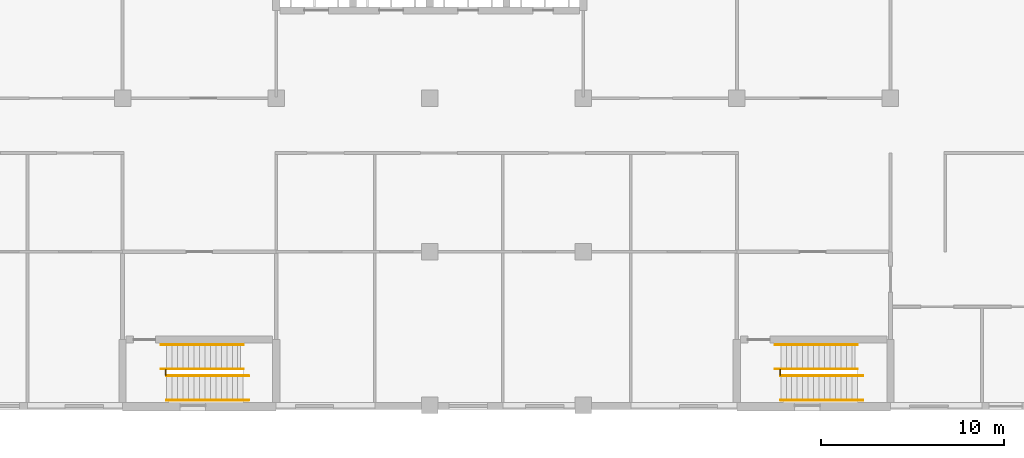
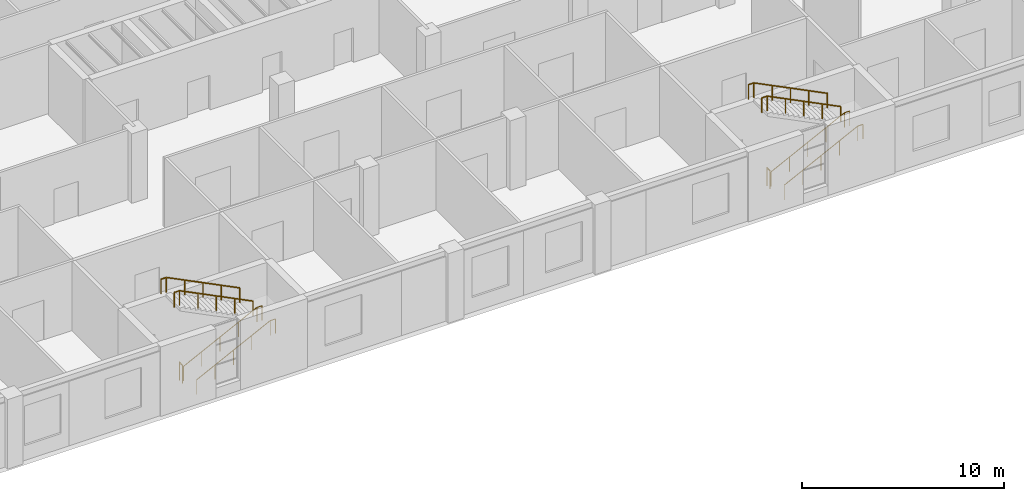
# One storey, part 60 of 66: 10 railings.
"""IFC4 building model written with IfcOpenShell, lengths in metres."""

from ifc_helpers import new_model, si_unit, direction, frame, origin, origin_2d, place, context, subcontext, project, spatial, circle, extrude, material, type_object, element, save


model = new_model("IFC4")

# Units and contexts
model_context = context("Model", 3, precision=1e-05, world=origin(), true_north=direction((0.0, 1.0)))
body_context = subcontext(model_context, "Body", "Model", "MODEL_VIEW")
ifc_project = project(units=[si_unit("LENGTHUNIT", "METRE"), si_unit("AREAUNIT", "SQUARE_METRE"), si_unit("VOLUMEUNIT", "CUBIC_METRE"), si_unit("PLANEANGLEUNIT", "RADIAN"), si_unit("MASSUNIT", "GRAM", prefix="KILO")], contexts=[model_context])

# Site, building, storey
site_placement = place(None, origin())
site = spatial("IfcSite", under=ifc_project, at=site_placement, CompositionType="ELEMENT")
building_placement = place(site_placement, origin())
building = spatial("IfcBuilding", under=site, at=building_placement, Name="Yavir Park General Hospital", CompositionType="ELEMENT")
storey_placement = place(building_placement, frame((0.0, 0.0, 8.39990234375)))
storey = spatial("IfcBuildingStorey", under=building, at=storey_placement, Name="L02", CompositionType="ELEMENT", Elevation=8.39990234375)

# Railings
ifc_material_1 = material(Name="Steel balustrade with infill rods", Category="steel")
railing_type_1 = type_object("IfcRailingType", Name="Stair guard, steel balustrade 1100 mm", PredefinedType="GUARDRAIL", material=ifc_material_1)
for number, where, name in (
    (1, (69.570068359375, 1.64990234375, 0.0), "Stair well guard SU3 L02"),
    (2, (103.169921875, 1.64990234375, 0.0), "Stair well guard SU4 L02"),
):
    element("IfcRailing", number, at=place(storey_placement, frame(where)), inside=storey, type_object=railing_type_1, Name=name, PredefinedType="GUARDRAIL", context=body_context, shape_type="SweptSolid", body=[
        extrude(circle(Radius=0.02392578125, at=origin_2d()), frame((0.0, 0.0, 1.076171875), z_axis=(0.0, 1.0, 0.0), x_axis=(-1.0, 0.0, 0.0)), (0.0, 0.0, 1.0), 0.300048828125),
        extrude(circle(Radius=0.02099609375, at=origin_2d()), origin(), (0.0, 0.0, 1.0), 1.052001953125),
        extrude(circle(Radius=0.02099609375, at=origin_2d()), frame((0.0, 0.300048828125, 0.0)), (0.0, 0.0, 1.0), 1.052001953125),
    ])
ifc_material_2 = material(Name="Stainless steel tube 48 mm", Category="steel")
railing_type_2 = type_object("IfcRailingType", Name="Stair handrail, steel tube, 900 mm above the nosings", PredefinedType="HANDRAIL", material=ifc_material_2)
for number, where, name in (
    (3, (69.60009765625, 0.2900390625, 0.150146484375), "Handrail SU3 L02 1"),
    (4, (69.60009765625, 1.610107421875, 0.150146484375), "Handrail SU3 L02 2"),
):
    element("IfcRailing", number, at=place(storey_placement, frame(where)), inside=storey, type_object=railing_type_2, Name=name, PredefinedType="HANDRAIL", context=body_context, shape_type="SweptSolid", body=[
        extrude(circle(Radius=0.02392578125, at=origin_2d()), frame((0.0, 0.0, 0.8759765625), z_axis=(0.894437589381, 0.0, 0.447192798132), x_axis=(0.0, 1.0, 0.0)), (0.0, 0.0, 1.0), 4.695556640625),
        extrude(circle(Radius=0.02392578125, at=origin_2d()), frame((4.199951171875, 0.0, 2.9755859375), z_axis=(1.0, 0.0, 0.0), x_axis=(0.0, 1.0, 0.0)), (0.0, 0.0, 1.0), 0.300048828125),
        extrude(circle(Radius=0.02099609375, at=origin_2d()), origin(), (0.0, 0.0, 1.0), 0.851806640625),
        extrude(circle(Radius=0.02099609375, at=origin_2d()), frame((1.050048828125, 0.0, 0.52490234375)), (0.0, 0.0, 1.0), 0.851806640625),
        extrude(circle(Radius=0.02099609375, at=origin_2d()), frame((2.10009765625, 0.0, 1.0498046875)), (0.0, 0.0, 1.0), 0.851806640625),
        extrude(circle(Radius=0.02099609375, at=origin_2d()), frame((3.14990234375, 0.0, 1.574951171875)), (0.0, 0.0, 1.0), 0.851806640625),
        extrude(circle(Radius=0.02099609375, at=origin_2d()), frame((4.199951171875, 0.0, 2.099853515625)), (0.0, 0.0, 1.0), 0.851806640625),
        extrude(circle(Radius=0.02099609375, at=origin_2d()), frame((4.5, 0.0, 2.099853515625)), (0.0, 0.0, 1.0), 0.851806640625),
    ])
for number, where, name in (
    (5, (73.800048828125, 3.31005859375, 2.400146484375), "Handrail SU3 L02 3"),
    (6, (73.800048828125, 1.989990234375, 2.400146484375), "Handrail SU3 L02 4"),
):
    element("IfcRailing", number, at=place(storey_placement, frame(where)), inside=storey, type_object=railing_type_2, Name=name, PredefinedType="HANDRAIL", context=body_context, shape_type="SweptSolid", body=[
        extrude(circle(Radius=0.02392578125, at=origin_2d()), frame((0.0, 0.0, 0.8759765625), z_axis=(-0.894437589381, 0.0, 0.447192798132), x_axis=(0.0, -1.0, 0.0)), (0.0, 0.0, 1.0), 4.695556640625),
        extrude(circle(Radius=0.02392578125, at=origin_2d()), frame((-4.199951171875, 0.0, 2.9755859375), z_axis=(-1.0, 0.0, 0.0), x_axis=(0.0, -1.0, 0.0)), (0.0, 0.0, 1.0), 0.300048828125),
        extrude(circle(Radius=0.02099609375, at=origin_2d()), origin(), (0.0, 0.0, 1.0), 0.851806640625),
        extrude(circle(Radius=0.02099609375, at=origin_2d()), frame((-1.050048828125, 0.0, 0.52490234375)), (0.0, 0.0, 1.0), 0.851806640625),
        extrude(circle(Radius=0.02099609375, at=origin_2d()), frame((-2.10009765625, 0.0, 1.0498046875)), (0.0, 0.0, 1.0), 0.851806640625),
        extrude(circle(Radius=0.02099609375, at=origin_2d()), frame((-3.14990234375, 0.0, 1.574951171875)), (0.0, 0.0, 1.0), 0.851806640625),
        extrude(circle(Radius=0.02099609375, at=origin_2d()), frame((-4.199951171875, 0.0, 2.099853515625)), (0.0, 0.0, 1.0), 0.851806640625),
        extrude(circle(Radius=0.02099609375, at=origin_2d()), frame((-4.5, 0.0, 2.099853515625)), (0.0, 0.0, 1.0), 0.851806640625),
    ])
for number, where, name in (
    (7, (103.199951171875, 0.2900390625, 0.150146484375), "Handrail SU4 L02 1"),
    (8, (103.199951171875, 1.610107421875, 0.150146484375), "Handrail SU4 L02 2"),
):
    element("IfcRailing", number, at=place(storey_placement, frame(where)), inside=storey, type_object=railing_type_2, Name=name, PredefinedType="HANDRAIL", context=body_context, shape_type="SweptSolid", body=[
        extrude(circle(Radius=0.02392578125, at=origin_2d()), frame((0.0, 0.0, 0.8759765625), z_axis=(0.894437589381, 0.0, 0.447192798132), x_axis=(0.0, 1.0, 0.0)), (0.0, 0.0, 1.0), 4.695556640625),
        extrude(circle(Radius=0.02392578125, at=origin_2d()), frame((4.199951171875, 0.0, 2.9755859375), z_axis=(1.0, 0.0, 0.0), x_axis=(0.0, 1.0, 0.0)), (0.0, 0.0, 1.0), 0.300048828125),
        extrude(circle(Radius=0.02099609375, at=origin_2d()), origin(), (0.0, 0.0, 1.0), 0.851806640625),
        extrude(circle(Radius=0.02099609375, at=origin_2d()), frame((1.050048828125, 0.0, 0.52490234375)), (0.0, 0.0, 1.0), 0.851806640625),
        extrude(circle(Radius=0.02099609375, at=origin_2d()), frame((2.10009765625, 0.0, 1.0498046875)), (0.0, 0.0, 1.0), 0.851806640625),
        extrude(circle(Radius=0.02099609375, at=origin_2d()), frame((3.14990234375, 0.0, 1.574951171875)), (0.0, 0.0, 1.0), 0.851806640625),
        extrude(circle(Radius=0.02099609375, at=origin_2d()), frame((4.199951171875, 0.0, 2.099853515625)), (0.0, 0.0, 1.0), 0.851806640625),
        extrude(circle(Radius=0.02099609375, at=origin_2d()), frame((4.5, 0.0, 2.099853515625)), (0.0, 0.0, 1.0), 0.851806640625),
    ])
for number, where, name in (
    (9, (107.39990234375, 3.31005859375, 2.400146484375), "Handrail SU4 L02 3"),
    (10, (107.39990234375, 1.989990234375, 2.400146484375), "Handrail SU4 L02 4"),
):
    element("IfcRailing", number, at=place(storey_placement, frame(where)), inside=storey, type_object=railing_type_2, Name=name, PredefinedType="HANDRAIL", context=body_context, shape_type="SweptSolid", body=[
        extrude(circle(Radius=0.02392578125, at=origin_2d()), frame((0.0, 0.0, 0.8759765625), z_axis=(-0.894437589381, 0.0, 0.447192798132), x_axis=(0.0, -1.0, 0.0)), (0.0, 0.0, 1.0), 4.695556640625),
        extrude(circle(Radius=0.02392578125, at=origin_2d()), frame((-4.199951171875, 0.0, 2.9755859375), z_axis=(-1.0, 0.0, 0.0), x_axis=(0.0, -1.0, 0.0)), (0.0, 0.0, 1.0), 0.300048828125),
        extrude(circle(Radius=0.02099609375, at=origin_2d()), origin(), (0.0, 0.0, 1.0), 0.851806640625),
        extrude(circle(Radius=0.02099609375, at=origin_2d()), frame((-1.050048828125, 0.0, 0.52490234375)), (0.0, 0.0, 1.0), 0.851806640625),
        extrude(circle(Radius=0.02099609375, at=origin_2d()), frame((-2.10009765625, 0.0, 1.0498046875)), (0.0, 0.0, 1.0), 0.851806640625),
        extrude(circle(Radius=0.02099609375, at=origin_2d()), frame((-3.14990234375, 0.0, 1.574951171875)), (0.0, 0.0, 1.0), 0.851806640625),
        extrude(circle(Radius=0.02099609375, at=origin_2d()), frame((-4.199951171875, 0.0, 2.099853515625)), (0.0, 0.0, 1.0), 0.851806640625),
        extrude(circle(Radius=0.02099609375, at=origin_2d()), frame((-4.5, 0.0, 2.099853515625)), (0.0, 0.0, 1.0), 0.851806640625),
    ])

save(model, "model.ifc")
